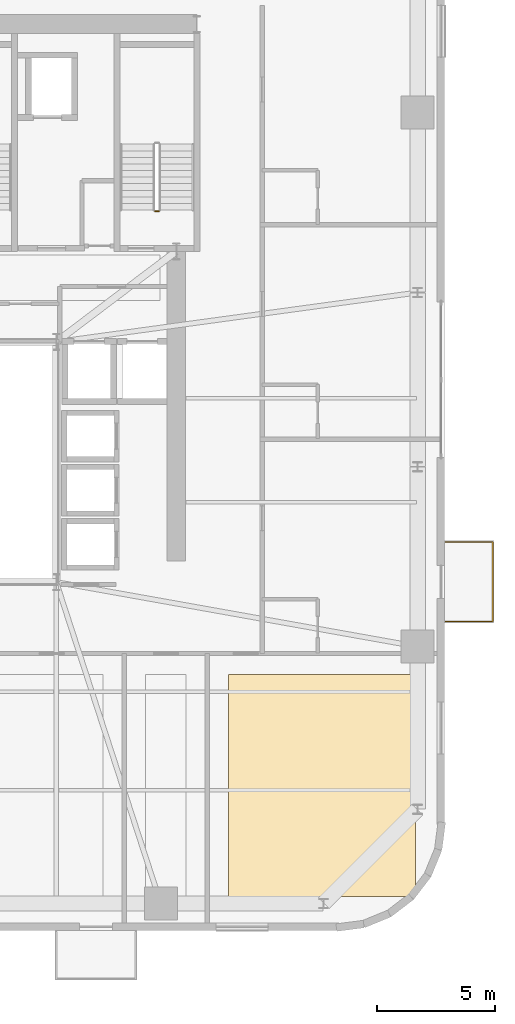
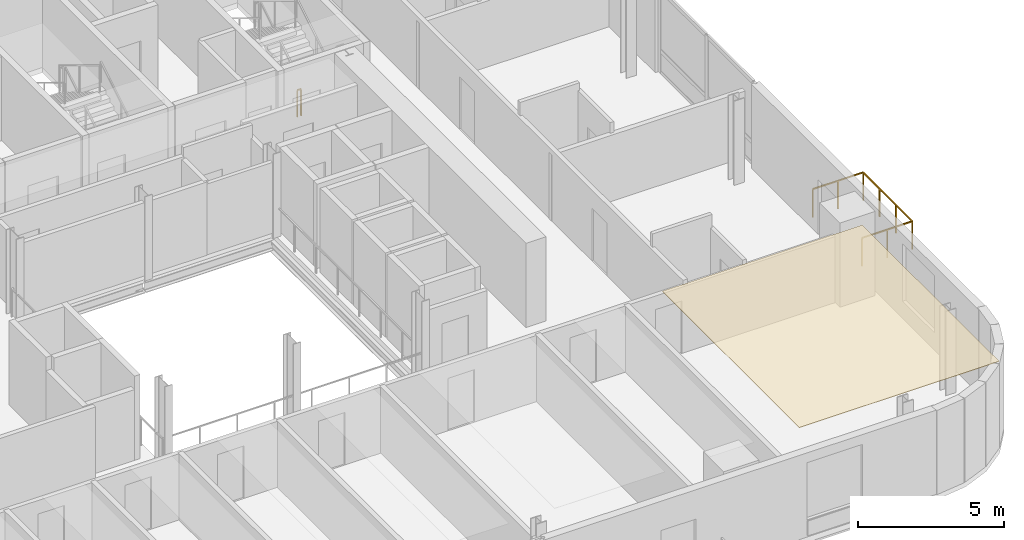
# One storey, part 14 of 16: 2 railings, 1 covering.
"""IFC4 building model written with IfcOpenShell, lengths in metres."""

from ifc_helpers import new_model, si_unit, direction, frame, origin, origin_2d, place, context, subcontext, project, spatial, polyline, rectangle, outline, extrude, source, transform, mapped, material, layer, layer_set, type_object, element, save


model = new_model("IFC4")

# Units and contexts
model_context = context("Model", 3, precision=1e-05, world=origin(), true_north=direction((0.0, 1.0)))
body_context = subcontext(model_context, "Body", "Model", "MODEL_VIEW")
ifc_project = project(units=[si_unit("LENGTHUNIT", "METRE"), si_unit("AREAUNIT", "SQUARE_METRE"), si_unit("VOLUMEUNIT", "CUBIC_METRE"), si_unit("PLANEANGLEUNIT", "RADIAN"), si_unit("MASSUNIT", "GRAM", prefix="KILO")], contexts=[model_context])

# Site, building, storey
site_placement = place(None, origin())
site = spatial("IfcSite", under=ifc_project, at=site_placement, CompositionType="ELEMENT")
building_placement = place(site_placement, origin())
building = spatial("IfcBuilding", under=site, at=building_placement, Name="Vardaveli Station Tower", CompositionType="ELEMENT")
storey_placement = place(building_placement, frame((0.0, 0.0, 222.300048828125)))
storey = spatial("IfcBuildingStorey", under=building, at=storey_placement, Name="L57", CompositionType="ELEMENT", Elevation=222.300048828125)

# Covering
ifc_material_1 = material(Name="Perforated acoustic mineral ceiling")
ifc_layer = layer(ifc_material_1, 0.02001953125, Name="Perforated acoustic mineral ceiling")
ifc_layer_set = layer_set([ifc_layer], Name="Perforated acoustic mineral ceiling")
covering_type = type_object("IfcCoveringType", Name="COV-CEIL-AC20", PredefinedType="CEILING", material=ifc_layer_set)
covering_placement = place(storey_placement, frame((0.0, 0.0, 3.514892578125)))
element("IfcCovering", 1, at=covering_placement, inside=storey, type_object=covering_type, Name="CEIL-L57-8", PredefinedType="CEILING", context=body_context, shape_type="SweptSolid", body=[
    extrude(outline(polyline([(48.719970703125, 3.25), (56.64990234375, 3.25), (56.64990234375, 12.669921875), (48.719970703125, 12.669921875), (48.719970703125, 3.25)])), origin(), (0.0, 0.0, 1.0), 0.02001953125),
])

# Railings
ifc_material_2 = material(Name="Laminated glass and stainless steel balustrade", Category="steel")
railing_type_1 = type_object("IfcRailingType", Name="RL-BAL-1200", PredefinedType="BALUSTRADE", material=ifc_material_2)
shared_shape_1 = source(origin(), body_context, "Body", "SweptSolid", [
    extrude(rectangle(XDim=0.048095703125, YDim=0.048095703125, at=origin_2d()), frame((0.0, 0.0, 1.17578125), z_axis=(1.0, 0.0, 0.0), x_axis=(0.0, 1.0, 0.0)), (0.0, 0.0, 1.0), 2.0),
    extrude(rectangle(XDim=0.048095703125, YDim=0.048095703125, at=origin_2d()), frame((2.0, 0.0, 1.17578125), z_axis=(0.0, 1.0, 0.0), x_axis=(-1.0, 0.0, 0.0)), (0.0, 0.0, 1.0), 3.3798828125),
    extrude(rectangle(XDim=0.048095703125, YDim=0.048095703125, at=origin_2d()), frame((2.0, 3.3798828125, 1.17578125), z_axis=(-1.0, 0.0, 0.0), x_axis=(0.0, -1.0, 0.0)), (0.0, 0.0, 1.0), 2.0),
    extrude(rectangle(XDim=0.0419921875, YDim=0.0419921875, at=origin_2d()), origin(), (0.0, 0.0, 1.0), 1.15185546875),
    extrude(rectangle(XDim=0.0419921875, YDim=0.0419921875, at=origin_2d()), frame((1.0, 0.0, 0.0)), (0.0, 0.0, 1.0), 1.15185546875),
    extrude(rectangle(XDim=0.0419921875, YDim=0.0419921875, at=origin_2d()), frame((2.0, 0.0, 0.0)), (0.0, 0.0, 1.0), 1.15185546875),
    extrude(rectangle(XDim=0.0419921875, YDim=0.0419921875, at=origin_2d()), frame((2.0, 1.126708984375, 0.0)), (0.0, 0.0, 1.0), 1.15185546875),
    extrude(rectangle(XDim=0.0419921875, YDim=0.0419921875, at=origin_2d()), frame((2.0, 2.253173828125, 0.0)), (0.0, 0.0, 1.0), 1.15185546875),
    extrude(rectangle(XDim=0.0419921875, YDim=0.0419921875, at=origin_2d()), frame((2.0, 3.3798828125, 0.0)), (0.0, 0.0, 1.0), 1.15185546875),
    extrude(rectangle(XDim=0.0419921875, YDim=0.0419921875, at=origin_2d()), frame((1.0, 3.3798828125, 0.0)), (0.0, 0.0, 1.0), 1.15185546875),
    extrude(rectangle(XDim=0.0419921875, YDim=0.0419921875, at=origin_2d()), frame((0.0, 3.3798828125, 0.0)), (0.0, 0.0, 1.0), 1.15185546875),
])
railing_1_placement = place(storey_placement, frame((57.93994140625, 14.92041015625, 0.0)))
element("IfcRailing", 2, at=railing_1_placement, inside=storey, type_object=railing_type_1, Name="RL-LOG-L57-04", PredefinedType="BALUSTRADE", context=body_context, shape_type="MappedRepresentation", body=[
    mapped(shared_shape_1, transform((0.0, 0.0, 0.0), scale=1.0)),
])
ifc_material_3 = material(Name="Brushed AISI 316 stainless steel", Category="steel")
railing_type_2 = type_object("IfcRailingType", Name="RL-GUARD-1150", PredefinedType="GUARDRAIL", material=ifc_material_3)
shared_shape_2 = source(origin(), body_context, "Body", "SweptSolid", [
    extrude(rectangle(XDim=0.048095703125, YDim=0.048095703125, at=origin_2d()), frame((0.0, 0.0, 1.1259765625), z_axis=(-1.0, 0.0, 0.0), x_axis=(0.0, -1.0, 0.0)), (0.0, 0.0, 1.0), 0.14990234375),
    extrude(rectangle(XDim=0.0419921875, YDim=0.0419921875, at=origin_2d()), origin(), (0.0, 0.0, 1.0), 1.101806640625),
    extrude(rectangle(XDim=0.0419921875, YDim=0.0419921875, at=origin_2d()), frame((-0.14990234375, 0.0, 0.0)), (0.0, 0.0, 1.0), 1.101806640625),
])
railing_2_placement = place(storey_placement, frame((45.75, 32.35009765625, 0.0)))
element("IfcRailing", 3, at=railing_2_placement, inside=storey, type_object=railing_type_2, Name="L57 ST-3 stair guard 4", PredefinedType="GUARDRAIL", context=body_context, shape_type="MappedRepresentation", body=[
    mapped(shared_shape_2, transform((0.0, 0.0, 0.0), scale=1.0)),
])

save(model, "model.ifc")
